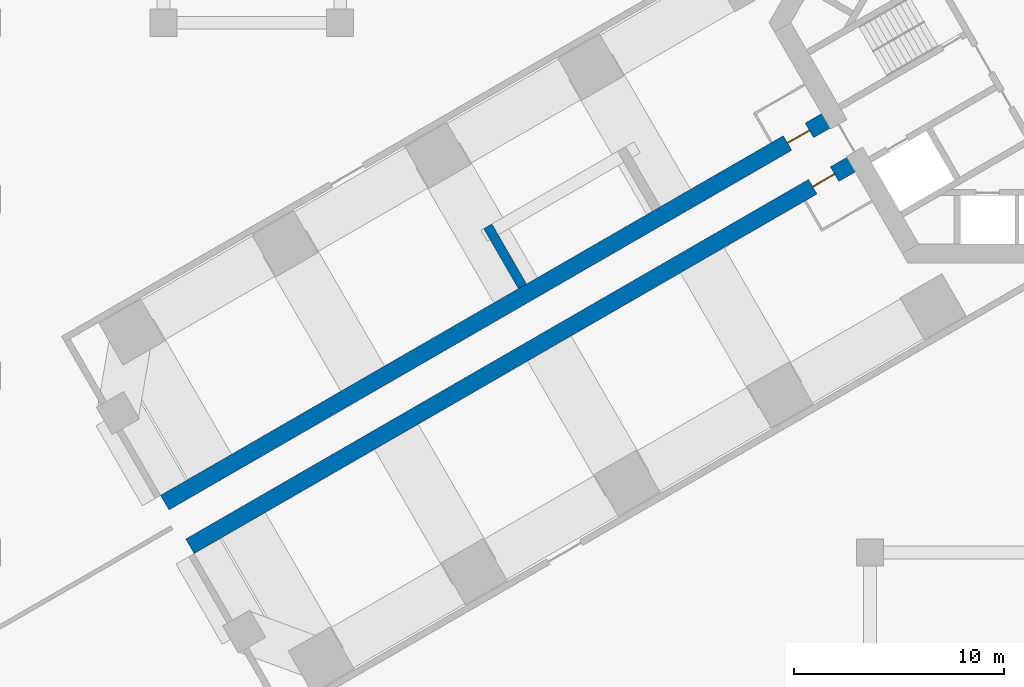
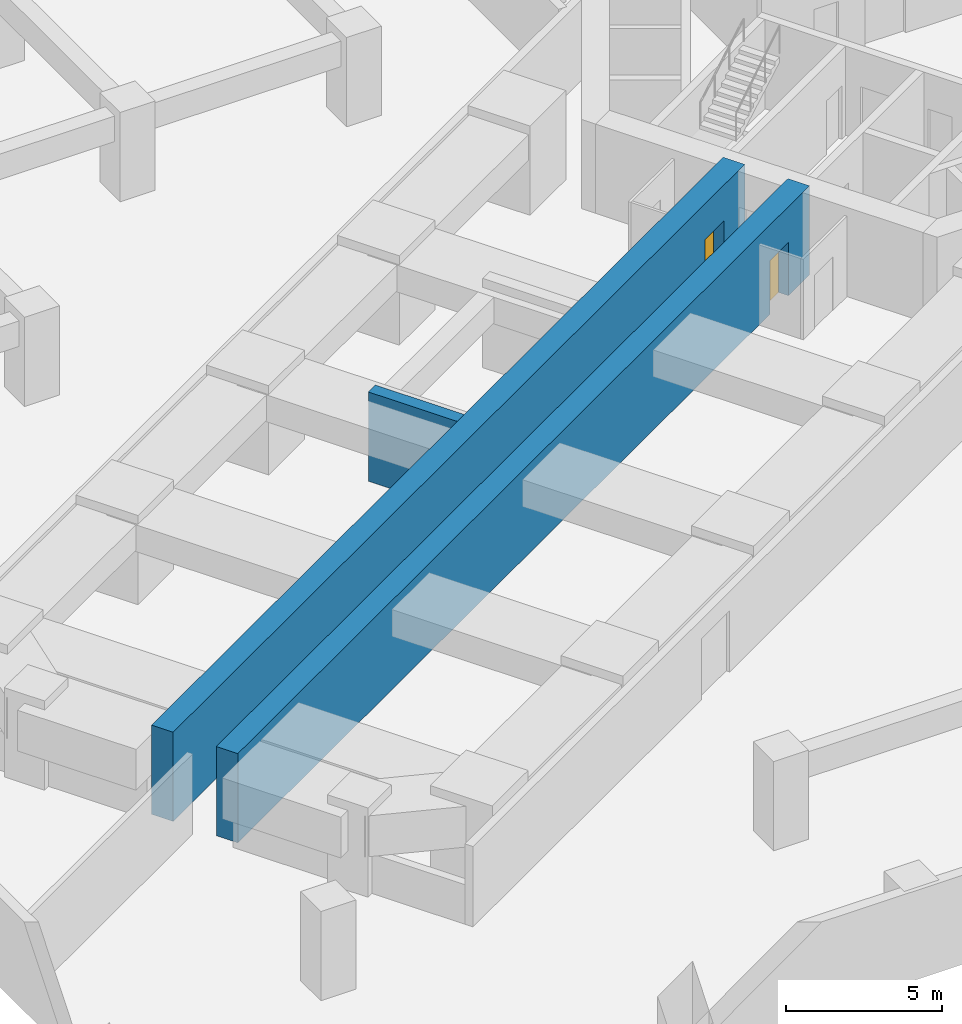
# One storey, part 4 of 10: 3 walls, 2 doors, 2 openings.
"""IFC4 building model written with IfcOpenShell, lengths in metres."""

from ifc_helpers import new_model, si_unit, direction, frame, frame_2d, origin, place, context, subcontext, project, spatial, rectangle, extrude, material, layer, layer_set, type_object, element, fill, save


model = new_model("IFC4")

# Units and contexts
model_context = context("Model", 3, precision=1e-05, world=origin(), true_north=direction((0.0, 1.0)))
body_context = subcontext(model_context, "Body", "Model", "MODEL_VIEW")
ifc_project = project(units=[si_unit("LENGTHUNIT", "METRE"), si_unit("AREAUNIT", "SQUARE_METRE"), si_unit("VOLUMEUNIT", "CUBIC_METRE"), si_unit("PLANEANGLEUNIT", "RADIAN"), si_unit("MASSUNIT", "GRAM", prefix="KILO")], contexts=[model_context])

# Site, building, storey
site_placement = place(None, origin())
site = spatial("IfcSite", under=ifc_project, at=site_placement, CompositionType="ELEMENT")
building_placement = place(site_placement, origin())
building = spatial("IfcBuilding", under=site, at=building_placement, Name="Impinga Residences", CompositionType="ELEMENT")
storey_placement = place(building_placement, frame((0.0, 0.0, -3.5)))
storey = spatial("IfcBuildingStorey", under=building, at=storey_placement, Name="B1", CompositionType="ELEMENT", Elevation=-3.5)

# Wall, opening, door
ifc_material_1 = material(Name="Concrete C70/85", Category="concrete")
ifc_layer_1 = layer(ifc_material_1, 0.800048828125)
ifc_layer_set_1 = layer_set([ifc_layer_1], Name="Concrete C70/85")
wall_type_1 = type_object("IfcWallType", Name="BW0 corridor buttress wall, B3 to L04 800", PredefinedType="SHEAR", material=ifc_layer_set_1)
wall_1_placement = place(storey_placement, frame((-8.910400390625, -6.530029296875, 0.0), z_axis=(0.0, 0.0, 1.0), x_axis=(-0.866025284237, -0.500000207062, 0.0)))
wall_1 = element("IfcWall", 1, at=wall_1_placement, inside=storey, type_object=wall_type_1, Name="Corridor wall BW0 WC B1", PredefinedType="SHEAR", context=body_context, shape_type="SweptSolid", body=[
    extrude(rectangle(XDim=36.75, YDim=0.800048828125, at=frame_2d((18.375, 0.0))), origin(), (0.0, 0.0, 1.0), 3.5),
])
opening_1_placement = place(wall_1_placement, frame((1.35009765625, 0.0, 0.0)))
opening_1 = element("IfcOpeningElement", 2, at=opening_1_placement, cuts=wall_1, Name="Opening D3", PredefinedType="OPENING", context=body_context, shape_type="SweptSolid", body=[
    extrude(rectangle(XDim=1.199951171875, YDim=2.10009765625, at=frame_2d((0.60009765625, 1.050048828125))), frame((0.0, 0.409912109375, 0.0), z_axis=(0.0, -1.0, 0.0), x_axis=(1.0, 0.0, 0.0)), (0.0, 0.0, 1.0), 0.820068359375),
])
ifc_material_2 = material(Name="Timber door set", Category="wood")
door_type = type_object("IfcDoorType", Name="D3 room door, leaf and a half 1200x2100", OperationType="DOUBLE_SWING_LEFT", PredefinedType="DOOR", material=ifc_material_2)
door_1_placement = place(opening_1_placement, origin())
door_1 = element("IfcDoor", 3, at=door_1_placement, inside=storey, type_object=door_type, Name="Bicycle store lobby door B1-WA1", OperationType="DOUBLE_SWING_LEFT", OverallHeight=2.10009765625, OverallWidth=1.199951171875, PredefinedType="DOOR", context=body_context, shape_type="SweptSolid", body=[
    extrude(rectangle(XDim=1.199951171875, YDim=2.10009765625, at=frame_2d((0.60009765625, 1.050048828125))), frame((0.0, 0.02490234375, 0.0), z_axis=(0.0, -1.0, 0.0), x_axis=(1.0, 0.0, 0.0)), (0.0, 0.0, 1.0), 0.050048828125),
])
fill(opening_1, door_1)

wall_2_placement = place(storey_placement, frame((-10.1103515625, -4.451416015625, 0.0), z_axis=(0.0, 0.0, 1.0), x_axis=(-0.866025284237, -0.500000207062, 0.0)))
wall_2 = element("IfcWall", 4, at=wall_2_placement, inside=storey, type_object=wall_type_1, Name="Corridor wall BW0 WD B1", PredefinedType="SHEAR", context=body_context, shape_type="SweptSolid", body=[
    extrude(rectangle(XDim=36.75, YDim=0.800048828125, at=frame_2d((18.375, 0.0))), origin(), (0.0, 0.0, 1.0), 3.5),
])
opening_2_placement = place(wall_2_placement, frame((1.35009765625, 0.0, 0.0)))
opening_2 = element("IfcOpeningElement", 5, at=opening_2_placement, cuts=wall_2, Name="Opening D3", PredefinedType="OPENING", context=body_context, shape_type="SweptSolid", body=[
    extrude(rectangle(XDim=1.199951171875, YDim=2.10009765625, at=frame_2d((0.60009765625, 1.050048828125))), frame((0.0, 0.409912109375, 0.0), z_axis=(0.0, -1.0, 0.0), x_axis=(1.0, 0.0, 0.0)), (0.0, 0.0, 1.0), 0.820068359375),
])
door_2_placement = place(opening_2_placement, origin())
door_2 = element("IfcDoor", 6, at=door_2_placement, inside=storey, type_object=door_type, Name="Storage cages lobby door B1-WF1", OperationType="DOUBLE_SWING_LEFT", OverallHeight=2.10009765625, OverallWidth=1.199951171875, PredefinedType="DOOR", context=body_context, shape_type="SweptSolid", body=[
    extrude(rectangle(XDim=1.199951171875, YDim=2.10009765625, at=frame_2d((0.60009765625, 1.050048828125))), frame((0.0, 0.02490234375, 0.0), z_axis=(0.0, -1.0, 0.0), x_axis=(1.0, 0.0, 0.0)), (0.0, 0.0, 1.0), 0.050048828125),
])
fill(opening_2, door_2)

# Wall
ifc_material_3 = material(Name="Concrete C60/75", Category="concrete")
ifc_layer_2 = layer(ifc_material_3, 0.449951171875)
ifc_layer_set_2 = layer_set([ifc_layer_2], Name="Concrete C60/75")
wall_type_2 = type_object("IfcWallType", Name="SE3 wing stair end wall carried down to the raft, basements 450", PredefinedType="SOLIDWALL", material=ifc_layer_set_2)
wall_3_placement = place(storey_placement, frame((-24.924560546875, -12.542724609375, 0.0), z_axis=(0.0, 0.0, 1.0), x_axis=(-0.499974350878, 0.866040211805, 0.0)))
element("IfcWall", 7, at=wall_3_placement, inside=storey, type_object=wall_type_2, Name="Stair enclosure wall SE3 W END1 B1", PredefinedType="SOLIDWALL", context=body_context, shape_type="SweptSolid", body=[
    extrude(rectangle(XDim=3.300048828125, YDim=0.449951171875, at=frame_2d((1.64990234375, 0.0))), origin(), (0.0, 0.0, 1.0), 3.5),
])

save(model, "model.ifc")
